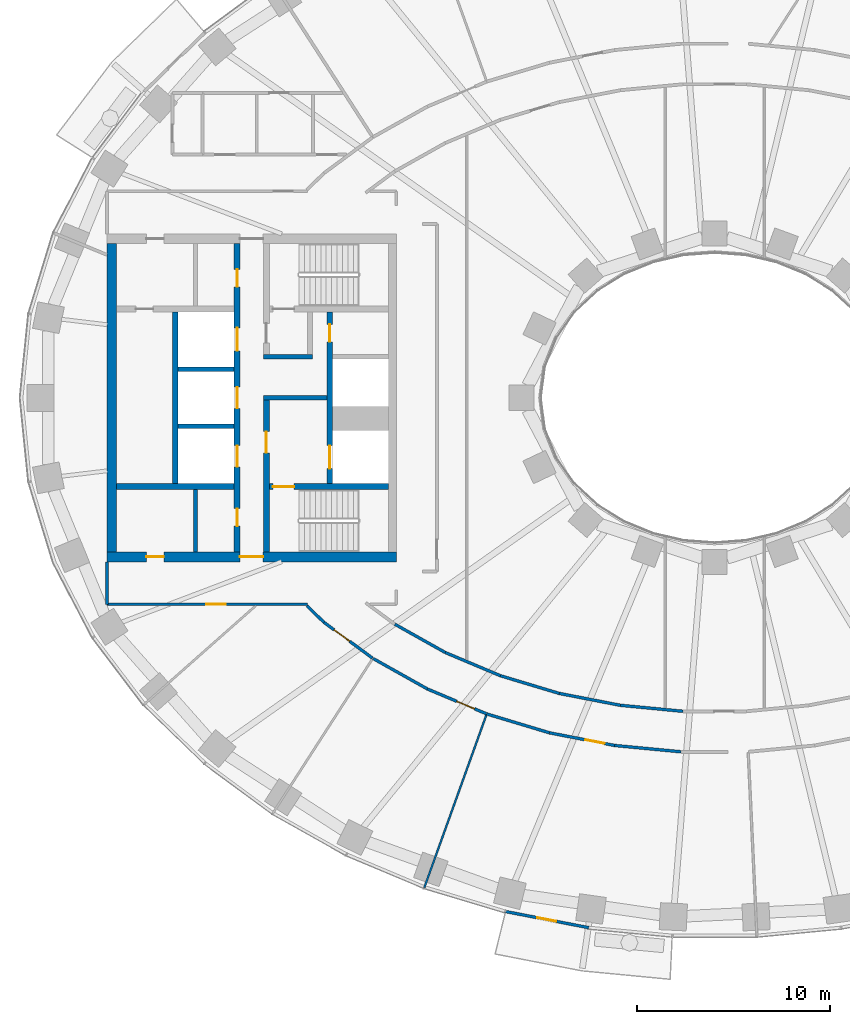
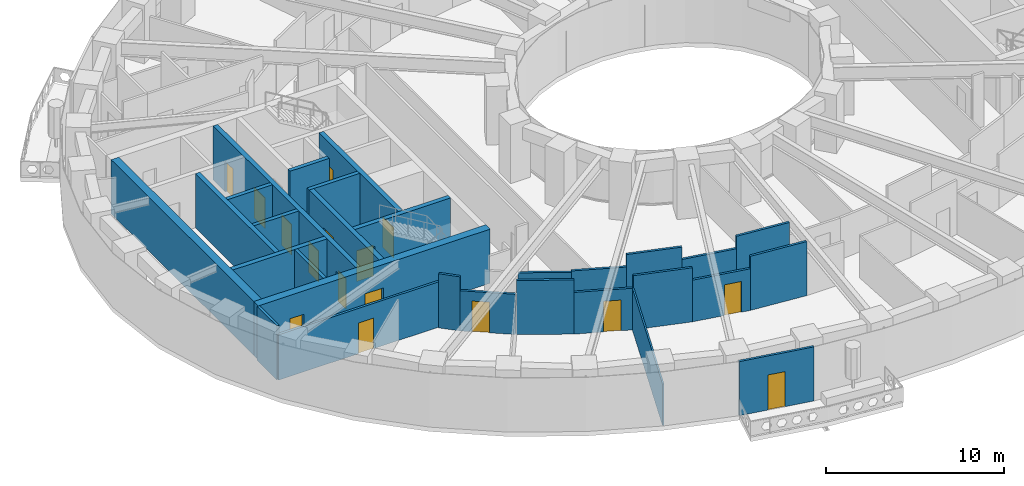
# One storey, part 3 of 16: 29 walls, 16 doors, 16 openings.
"""IFC4 building model written with IfcOpenShell, lengths in metres."""

from ifc_helpers import new_model, si_unit, direction, frame, frame_2d, origin, place, context, subcontext, project, spatial, rectangle, extrude, material, layer, layer_set, type_object, element, fill, save


model = new_model("IFC4")

# Units and contexts
model_context = context("Model", 3, precision=1e-05, world=origin(), true_north=direction((0.0, 1.0)))
body_context = subcontext(model_context, "Body", "Model", "MODEL_VIEW")
ifc_project = project(units=[si_unit("LENGTHUNIT", "METRE"), si_unit("AREAUNIT", "SQUARE_METRE"), si_unit("VOLUMEUNIT", "CUBIC_METRE"), si_unit("PLANEANGLEUNIT", "RADIAN"), si_unit("MASSUNIT", "GRAM", prefix="KILO")], contexts=[model_context])

# Site, building, storey
site_placement = place(None, origin())
site = spatial("IfcSite", under=ifc_project, at=site_placement, CompositionType="ELEMENT")
building_placement = place(site_placement, origin())
building = spatial("IfcBuilding", under=site, at=building_placement, Name="Noorbagh Ring Tower", CompositionType="ELEMENT")
storey_placement = place(building_placement, frame((0.0, 0.0, 70.5)))
storey = spatial("IfcBuildingStorey", under=building, at=storey_placement, Name="L15", CompositionType="ELEMENT", Elevation=70.5)

# Walls
ifc_material_1 = material(Name="Gypsum board on steel studs", Category="steel")
ifc_layer_1 = layer(ifc_material_1, 0.199951171875)
ifc_layer_set_1 = layer_set([ifc_layer_1], Name="Gypsum board on steel studs")
wall_type_1 = type_object("IfcWallType", Name="CORE-PARTITION-200", PredefinedType="PARTITIONING", material=ifc_layer_set_1)
wall_1_placement = place(storey_placement, frame((-26.89990234375, -8.0, 0.0), z_axis=(0.0, 0.0, 1.0), x_axis=(0.0, 1.0, 0.0)))
element("IfcWall", 1, at=wall_1_placement, inside=storey, type_object=wall_type_1, Name="Core partition W", PredefinedType="PARTITIONING", context=body_context, shape_type="SweptSolid", body=[
    extrude(rectangle(XDim=3.25, YDim=0.199951171875, at=frame_2d((1.625, 0.0))), origin(), (0.0, 0.0, 1.0), 3.699951171875),
])
ifc_material_2 = material(Name="Concrete C70/85", Category="concrete")
ifc_layer_2 = layer(ifc_material_2, 0.25)
ifc_layer_set_2 = layer_set([ifc_layer_2], Name="Concrete C70/85")
wall_type_2 = type_object("IfcWallType", Name="CORE-WALL-250-C70-85-EI120", PredefinedType="SHEAR", material=ifc_layer_set_2)
for number, where, z_axis, x_axis, name in (
    (2, (-24.89990234375, -1.47509765625, 0.0), (0.0, 0.0, 1.0), (-1.0, 0.0, 0.0), "Core wall W"),
    (3, (-24.89990234375, 1.47509765625, 0.0), (0.0, 0.0, 1.0), (-1.0, 0.0, 0.0), "Core wall W"),
):
    element("IfcWall", number, at=place(storey_placement, frame(where, z_axis=z_axis, x_axis=x_axis)), inside=storey, type_object=wall_type_2, Name=name, PredefinedType="SHEAR", context=body_context, shape_type="SweptSolid", body=[
        extrude(rectangle(XDim=2.900146484375, YDim=0.25, at=frame_2d((1.4501953125, 0.0))), origin(), (0.0, 0.0, 1.0), 3.699951171875),
    ])
ifc_material_3 = material(Name="Concrete C70/85", Category="concrete")
ifc_layer_3 = layer(ifc_material_3, 0.25)
ifc_layer_set_3 = layer_set([ifc_layer_3], Name="Concrete C70/85")
wall_type_3 = type_object("IfcWallType", Name="CORE-WALL-250-C70-85-EI240", PredefinedType="SHEAR", material=ifc_layer_set_3)
wall_2_placement = place(storey_placement, frame((-20.10009765625, 0.0, 0.0), z_axis=(0.0, 0.0, 1.0), x_axis=(-1.0, 0.0, 0.0)))
element("IfcWall", 4, at=wall_2_placement, inside=storey, type_object=wall_type_3, Name="Core wall W", PredefinedType="SHEAR", context=body_context, shape_type="SweptSolid", body=[
    extrude(rectangle(XDim=3.27978515625, YDim=0.25, at=frame_2d((1.639892578125, 0.0))), origin(), (0.0, 0.0, 1.0), 3.699951171875),
])
wall_3_placement = place(storey_placement, frame((-20.85009765625, 2.125, 0.0), z_axis=(0.0, 0.0, 1.0), x_axis=(-1.0, 0.0, 0.0)))
element("IfcWall", 5, at=wall_3_placement, inside=storey, type_object=wall_type_3, Name="Core wall W", PredefinedType="SHEAR", context=body_context, shape_type="SweptSolid", body=[
    extrude(rectangle(XDim=2.52978515625, YDim=0.25, at=frame_2d((1.264892578125, 0.0))), origin(), (0.0, 0.0, 1.0), 3.699951171875),
])
ifc_material_4 = material(Name="Concrete C70/85", Category="concrete")
ifc_layer_4 = layer(ifc_material_4, 0.300048828125)
ifc_layer_set_4 = layer_set([ifc_layer_4], Name="Concrete C70/85")
wall_type_4 = type_object("IfcWallType", Name="CORE-WALL-300-C70-85-EI120", PredefinedType="SHEAR", material=ifc_layer_set_4)
wall_4_placement = place(storey_placement, frame((-27.949951171875, -4.449951171875, 0.0), z_axis=(0.0, 0.0, 1.0), x_axis=(0.0, 1.0, 0.0)))
element("IfcWall", 6, at=wall_4_placement, inside=storey, type_object=wall_type_4, Name="Core wall W", PredefinedType="SHEAR", context=body_context, shape_type="SweptSolid", body=[
    extrude(rectangle(XDim=8.89990234375, YDim=0.300048828125, at=frame_2d((4.449951171875, 0.0))), origin(), (0.0, 0.0, 1.0), 3.699951171875),
])

# Wall, openings, doors
wall_5_placement = place(storey_placement, frame((-19.949951171875, -4.449951171875, 0.0), z_axis=(0.0, 0.0, 1.0), x_axis=(0.0, 1.0, 0.0)))
wall_5 = element("IfcWall", 7, at=wall_5_placement, inside=storey, type_object=wall_type_4, Name="Core wall W", PredefinedType="SHEAR", context=body_context, shape_type="SweptSolid", body=[
    extrude(rectangle(XDim=8.89990234375, YDim=0.300048828125, at=frame_2d((4.449951171875, 0.0))), origin(), (0.0, 0.0, 1.0), 3.699951171875),
])
opening_1_placement = place(wall_5_placement, frame((0.77490234375, 0.0, 0.0)))
opening_1 = element("IfcOpeningElement", 8, at=opening_1_placement, cuts=wall_5, Name="Opening L15-CW01", PredefinedType="OPENING", context=body_context, shape_type="SweptSolid", body=[
    extrude(rectangle(XDim=1.199951171875, YDim=2.10009765625, at=frame_2d((0.60009765625, 1.050048828125))), frame((0.0, 0.16015625, 0.0), z_axis=(0.0, -1.0, 0.0), x_axis=(1.0, 0.0, 0.0)), (0.0, 0.0, 1.0), 0.320068359375),
])
opening_2_placement = place(wall_5_placement, frame((7.35009765625, 0.0, 0.0)))
opening_2 = element("IfcOpeningElement", 9, at=opening_2_placement, cuts=wall_5, Name="Opening L15-CW11", PredefinedType="OPENING", context=body_context, shape_type="SweptSolid", body=[
    extrude(rectangle(XDim=0.89990234375, YDim=2.10009765625, at=frame_2d((0.449951171875, 1.050048828125))), frame((0.0, 0.16015625, 0.0), z_axis=(0.0, -1.0, 0.0), x_axis=(1.0, 0.0, 0.0)), (0.0, 0.0, 1.0), 0.320068359375),
])
ifc_material_5 = material(Name="Steel door leaf", Category="steel")
door_type_1 = type_object("IfcDoorType", Name="CORE-DOOR-DROOM", OperationType="SINGLE_SWING_LEFT", PredefinedType="DOOR", material=ifc_material_5)
door_1_placement = place(opening_2_placement, origin())
door_1 = element("IfcDoor", 10, at=door_1_placement, inside=storey, type_object=door_type_1, Name="Core room door L15-CW11", OperationType="SINGLE_SWING_LEFT", OverallHeight=2.10009765625, OverallWidth=0.89990234375, PredefinedType="DOOR", context=body_context, shape_type="SweptSolid", body=[
    extrude(rectangle(XDim=0.89990234375, YDim=2.10009765625, at=frame_2d((0.449951171875, 1.050048828125))), frame((0.0, 0.02490234375, 0.0), z_axis=(0.0, -1.0, 0.0), x_axis=(1.0, 0.0, 0.0)), (0.0, 0.0, 1.0), 0.050048828125),
])
fill(opening_2, door_1)
ifc_material_6 = material(Name="Steel door leaf", Category="steel")
door_type_2 = type_object("IfcDoorType", Name="CORE-DOOR-LDW", OperationType="DOUBLE_DOOR_SLIDING", PredefinedType="DOOR", material=ifc_material_6)
door_2_placement = place(opening_1_placement, origin())
door_2 = element("IfcDoor", 11, at=door_2_placement, inside=storey, type_object=door_type_2, Name="Landing door FF1 L15-CW01", OperationType="DOUBLE_DOOR_SLIDING", OverallHeight=2.10009765625, OverallWidth=1.199951171875, PredefinedType="DOOR", context=body_context, shape_type="SweptSolid", body=[
    extrude(rectangle(XDim=1.199951171875, YDim=2.10009765625, at=frame_2d((0.60009765625, 1.050048828125))), frame((0.0, 0.02490234375, 0.0), z_axis=(0.0, -1.0, 0.0), x_axis=(1.0, 0.0, 0.0)), (0.0, 0.0, 1.0), 0.050048828125),
])
fill(opening_1, door_2)

wall_6_placement = place(storey_placement, frame((-24.75, -8.0, 0.0), z_axis=(0.0, 0.0, 1.0), x_axis=(0.0, 1.0, 0.0)))
wall_6 = element("IfcWall", 12, at=wall_6_placement, inside=storey, type_object=wall_type_4, Name="Core wall W", PredefinedType="SHEAR", context=body_context, shape_type="SweptSolid", body=[
    extrude(rectangle(XDim=16.0, YDim=0.300048828125, at=frame_2d((8.0, 0.0))), origin(), (0.0, 0.0, 1.0), 3.699951171875),
])
opening_3_placement = place(wall_6_placement, frame((4.425048828125, 0.0, 0.0)))
opening_3 = element("IfcOpeningElement", 13, at=opening_3_placement, cuts=wall_6, Name="Opening L15-CW02", PredefinedType="OPENING", context=body_context, shape_type="SweptSolid", body=[
    extrude(rectangle(XDim=1.10009765625, YDim=2.10009765625, at=frame_2d((0.550048828125, 1.050048828125))), frame((0.0, 0.16015625, 0.0), z_axis=(0.0, -1.0, 0.0), x_axis=(1.0, 0.0, 0.0)), (0.0, 0.0, 1.0), 0.320068359375),
])
opening_4_placement = place(wall_6_placement, frame((7.449951171875, 0.0, 0.0)))
opening_4 = element("IfcOpeningElement", 14, at=opening_4_placement, cuts=wall_6, Name="Opening L15-CW03", PredefinedType="OPENING", context=body_context, shape_type="SweptSolid", body=[
    extrude(rectangle(XDim=1.10009765625, YDim=2.10009765625, at=frame_2d((0.550048828125, 1.050048828125))), frame((0.0, 0.16015625, 0.0), z_axis=(0.0, -1.0, 0.0), x_axis=(1.0, 0.0, 0.0)), (0.0, 0.0, 1.0), 0.320068359375),
])
opening_5_placement = place(wall_6_placement, frame((10.425048828125, 0.0, 0.0)))
opening_5 = element("IfcOpeningElement", 15, at=opening_5_placement, cuts=wall_6, Name="Opening L15-CW04", PredefinedType="OPENING", context=body_context, shape_type="SweptSolid", body=[
    extrude(rectangle(XDim=1.199951171875, YDim=2.10009765625, at=frame_2d((0.60009765625, 1.050048828125))), frame((0.0, 0.16015625, 0.0), z_axis=(0.0, -1.0, 0.0), x_axis=(1.0, 0.0, 0.0)), (0.0, 0.0, 1.0), 0.320068359375),
])
opening_6_placement = place(wall_6_placement, frame((13.75, 0.0, 0.0)))
opening_6 = element("IfcOpeningElement", 16, at=opening_6_placement, cuts=wall_6, Name="Opening L15-CW12", PredefinedType="OPENING", context=body_context, shape_type="SweptSolid", body=[
    extrude(rectangle(XDim=0.89990234375, YDim=2.10009765625, at=frame_2d((0.449951171875, 1.050048828125))), frame((0.0, 0.16015625, 0.0), z_axis=(0.0, -1.0, 0.0), x_axis=(1.0, 0.0, 0.0)), (0.0, 0.0, 1.0), 0.320068359375),
])
opening_7_placement = place(wall_6_placement, frame((1.35009765625, 0.0, 0.0)))
opening_7 = element("IfcOpeningElement", 17, at=opening_7_placement, cuts=wall_6, Name="Opening L15-CW14", PredefinedType="OPENING", context=body_context, shape_type="SweptSolid", body=[
    extrude(rectangle(XDim=0.89990234375, YDim=2.10009765625, at=frame_2d((0.449951171875, 1.050048828125))), frame((0.0, 0.16015625, 0.0), z_axis=(0.0, -1.0, 0.0), x_axis=(1.0, 0.0, 0.0)), (0.0, 0.0, 1.0), 0.320068359375),
])
door_3_placement = place(opening_6_placement, origin())
door_3 = element("IfcDoor", 18, at=door_3_placement, inside=storey, type_object=door_type_1, Name="Core room door L15-CW12", OperationType="SINGLE_SWING_RIGHT", OverallHeight=2.10009765625, OverallWidth=0.89990234375, PredefinedType="DOOR", context=body_context, shape_type="SweptSolid", body=[
    extrude(rectangle(XDim=0.89990234375, YDim=2.10009765625, at=frame_2d((0.449951171875, 1.050048828125))), frame((0.0, 0.02490234375, 0.0), z_axis=(0.0, -1.0, 0.0), x_axis=(1.0, 0.0, 0.0)), (0.0, 0.0, 1.0), 0.050048828125),
])
fill(opening_6, door_3)
door_4_placement = place(opening_7_placement, origin())
door_4 = element("IfcDoor", 19, at=door_4_placement, inside=storey, type_object=door_type_1, Name="Core room door L15-CW14", OperationType="SINGLE_SWING_LEFT", OverallHeight=2.10009765625, OverallWidth=0.89990234375, PredefinedType="DOOR", context=body_context, shape_type="SweptSolid", body=[
    extrude(rectangle(XDim=0.89990234375, YDim=2.10009765625, at=frame_2d((0.449951171875, 1.050048828125))), frame((0.0, 0.02490234375, 0.0), z_axis=(0.0, -1.0, 0.0), x_axis=(1.0, 0.0, 0.0)), (0.0, 0.0, 1.0), 0.050048828125),
])
fill(opening_7, door_4)
ifc_material_7 = material(Name="Steel door leaf", Category="steel")
door_type_3 = type_object("IfcDoorType", Name="CORE-DOOR-LD", OperationType="DOUBLE_DOOR_SLIDING", PredefinedType="DOOR", material=ifc_material_7)
door_5_placement = place(opening_3_placement, origin())
door_5 = element("IfcDoor", 20, at=door_5_placement, inside=storey, type_object=door_type_3, Name="Landing door LR1 L15-CW02", OperationType="DOUBLE_DOOR_SLIDING", OverallHeight=2.10009765625, OverallWidth=1.10009765625, PredefinedType="DOOR", context=body_context, shape_type="SweptSolid", body=[
    extrude(rectangle(XDim=1.10009765625, YDim=2.10009765625, at=frame_2d((0.550048828125, 1.050048828125))), frame((0.0, 0.02490234375, 0.0), z_axis=(0.0, -1.0, 0.0), x_axis=(1.0, 0.0, 0.0)), (0.0, 0.0, 1.0), 0.050048828125),
])
fill(opening_3, door_5)
door_6_placement = place(opening_4_placement, origin())
door_6 = element("IfcDoor", 21, at=door_6_placement, inside=storey, type_object=door_type_3, Name="Landing door LR2 L15-CW03", OperationType="DOUBLE_DOOR_SLIDING", OverallHeight=2.10009765625, OverallWidth=1.10009765625, PredefinedType="DOOR", context=body_context, shape_type="SweptSolid", body=[
    extrude(rectangle(XDim=1.10009765625, YDim=2.10009765625, at=frame_2d((0.550048828125, 1.050048828125))), frame((0.0, 0.02490234375, 0.0), z_axis=(0.0, -1.0, 0.0), x_axis=(1.0, 0.0, 0.0)), (0.0, 0.0, 1.0), 0.050048828125),
])
fill(opening_4, door_6)
door_7_placement = place(opening_5_placement, origin())
door_7 = element("IfcDoor", 22, at=door_7_placement, inside=storey, type_object=door_type_2, Name="Landing door SV1 L15-CW04", OperationType="DOUBLE_DOOR_SLIDING", OverallHeight=2.10009765625, OverallWidth=1.199951171875, PredefinedType="DOOR", context=body_context, shape_type="SweptSolid", body=[
    extrude(rectangle(XDim=1.199951171875, YDim=2.10009765625, at=frame_2d((0.60009765625, 1.050048828125))), frame((0.0, 0.02490234375, 0.0), z_axis=(0.0, -1.0, 0.0), x_axis=(1.0, 0.0, 0.0)), (0.0, 0.0, 1.0), 0.050048828125),
])
fill(opening_5, door_7)

# Wall
ifc_material_8 = material(Name="Concrete C70/85", Category="concrete")
ifc_layer_5 = layer(ifc_material_8, 0.300048828125)
ifc_layer_set_5 = layer_set([ifc_layer_5], Name="Concrete C70/85")
wall_type_5 = type_object("IfcWallType", Name="CORE-WALL-300-C70-85-EI240", PredefinedType="SHEAR", material=ifc_layer_set_5)
wall_7_placement = place(storey_placement, frame((-24.89990234375, -4.60009765625, 0.0), z_axis=(0.0, 0.0, 1.0), x_axis=(-1.0, 0.0, 0.0)))
element("IfcWall", 23, at=wall_7_placement, inside=storey, type_object=wall_type_5, Name="Core wall W", PredefinedType="SHEAR", context=body_context, shape_type="SweptSolid", body=[
    extrude(rectangle(XDim=6.10009765625, YDim=0.300048828125, at=frame_2d((3.050048828125, 0.0))), origin(), (0.0, 0.0, 1.0), 3.699951171875),
])

# Wall, opening, door
wall_8_placement = place(storey_placement, frame((-23.22998046875, -8.0, 0.0), z_axis=(0.0, 0.0, 1.0), x_axis=(0.0, 1.0, 0.0)))
wall_8 = element("IfcWall", 24, at=wall_8_placement, inside=storey, type_object=wall_type_5, Name="Core wall W", PredefinedType="SHEAR", context=body_context, shape_type="SweptSolid", body=[
    extrude(rectangle(XDim=7.875, YDim=0.300048828125, at=frame_2d((3.9375, 0.0))), origin(), (0.0, 0.0, 1.0), 3.699951171875),
])
opening_8_placement = place(wall_8_placement, frame((5.14990234375, 0.0, 0.0)))
opening_8 = element("IfcOpeningElement", 25, at=opening_8_placement, cuts=wall_8, Name="Opening L15-CW07", PredefinedType="OPENING", context=body_context, shape_type="SweptSolid", body=[
    extrude(rectangle(XDim=1.10009765625, YDim=2.10009765625, at=frame_2d((0.550048828125, 1.050048828125))), frame((0.0, 0.16015625, 0.0), z_axis=(0.0, -1.0, 0.0), x_axis=(1.0, 0.0, 0.0)), (0.0, 0.0, 1.0), 0.320068359375),
])
ifc_material_9 = material(Name="Steel door leaf", Category="steel")
door_type_4 = type_object("IfcDoorType", Name="CORE-DOOR-DFF", OperationType="SINGLE_SWING_LEFT", PredefinedType="DOOR", material=ifc_material_9)
door_8_placement = place(opening_8_placement, origin())
door_8 = element("IfcDoor", 26, at=door_8_placement, inside=storey, type_object=door_type_4, Name="Firefighting lobby door L15-CW07", OperationType="SINGLE_SWING_LEFT", OverallHeight=2.10009765625, OverallWidth=1.10009765625, PredefinedType="DOOR", context=body_context, shape_type="SweptSolid", body=[
    extrude(rectangle(XDim=1.10009765625, YDim=2.10009765625, at=frame_2d((0.550048828125, 1.050048828125))), frame((0.0, 0.02490234375, 0.0), z_axis=(0.0, -1.0, 0.0), x_axis=(1.0, 0.0, 0.0)), (0.0, 0.0, 1.0), 0.050048828125),
])
fill(opening_8, door_8)

wall_9_placement = place(storey_placement, frame((-16.89990234375, -4.60009765625, 0.0), z_axis=(0.0, 0.0, 1.0), x_axis=(-1.0, 0.0, 0.0)))
wall_9 = element("IfcWall", 27, at=wall_9_placement, inside=storey, type_object=wall_type_5, Name="Core wall W", PredefinedType="SHEAR", context=body_context, shape_type="SweptSolid", body=[
    extrude(rectangle(XDim=6.18017578125, YDim=0.300048828125, at=frame_2d((3.090087890625, 0.0))), origin(), (0.0, 0.0, 1.0), 3.699951171875),
])
opening_9_placement = place(wall_9_placement, frame((4.89990234375, 0.0, 0.0)))
opening_9 = element("IfcOpeningElement", 28, at=opening_9_placement, cuts=wall_9, Name="Opening L15-CW06", PredefinedType="OPENING", context=body_context, shape_type="SweptSolid", body=[
    extrude(rectangle(XDim=1.10009765625, YDim=2.10009765625, at=frame_2d((0.550048828125, 1.050048828125))), frame((0.0, 0.16015625, 0.0), z_axis=(0.0, -1.0, 0.0), x_axis=(1.0, 0.0, 0.0)), (0.0, 0.0, 1.0), 0.320068359375),
])
ifc_material_10 = material(Name="Steel door leaf", Category="steel")
door_type_5 = type_object("IfcDoorType", Name="CORE-DOOR-DSTAIR", OperationType="SINGLE_SWING_LEFT", PredefinedType="DOOR", material=ifc_material_10)
door_9_placement = place(opening_9_placement, origin())
door_9 = element("IfcDoor", 29, at=door_9_placement, inside=storey, type_object=door_type_5, Name="Stair door ST2 L15-CW06", OperationType="SINGLE_SWING_LEFT", OverallHeight=2.10009765625, OverallWidth=1.10009765625, PredefinedType="DOOR", context=body_context, shape_type="SweptSolid", body=[
    extrude(rectangle(XDim=1.10009765625, YDim=2.10009765625, at=frame_2d((0.550048828125, 1.050048828125))), frame((0.0, 0.02490234375, 0.0), z_axis=(0.0, -1.0, 0.0), x_axis=(1.0, 0.0, 0.0)), (0.0, 0.0, 1.0), 0.050048828125),
])
fill(opening_9, door_9)

# Wall, openings, doors
ifc_material_11 = material(Name="Concrete C70/85", Category="concrete")
ifc_layer_6 = layer(ifc_material_11, 0.5)
ifc_layer_set_6 = layer_set([ifc_layer_6], Name="Concrete C70/85")
wall_type_6 = type_object("IfcWallType", Name="CORE-WALL-500-C70-85-EI240", PredefinedType="SHEAR", material=ifc_layer_set_6)
wall_10_placement = place(storey_placement, frame((-16.5, -8.25, 0.0), z_axis=(0.0, 0.0, 1.0), x_axis=(-1.0, 0.0, 0.0)))
wall_10 = element("IfcWall", 30, at=wall_10_placement, inside=storey, type_object=wall_type_6, Name="Core wall W", PredefinedType="SHEAR", context=body_context, shape_type="SweptSolid", body=[
    extrude(rectangle(XDim=15.0, YDim=0.5, at=frame_2d((7.5, 0.0))), origin(), (0.0, 0.0, 1.0), 3.699951171875),
])
opening_10_placement = place(wall_10_placement, frame((6.89990234375, 0.0, 0.0)))
opening_10 = element("IfcOpeningElement", 31, at=opening_10_placement, cuts=wall_10, Name="Opening L15-CW10", PredefinedType="OPENING", context=body_context, shape_type="SweptSolid", body=[
    extrude(rectangle(XDim=1.199951171875, YDim=2.10009765625, at=frame_2d((0.60009765625, 1.050048828125))), frame((0.0, 0.260009765625, 0.0), z_axis=(0.0, -1.0, 0.0), x_axis=(1.0, 0.0, 0.0)), (0.0, 0.0, 1.0), 0.52001953125),
])
opening_11_placement = place(wall_10_placement, frame((12.050048828125, 0.0, 0.0)))
opening_11 = element("IfcOpeningElement", 32, at=opening_11_placement, cuts=wall_10, Name="Opening L15-CW15", PredefinedType="OPENING", context=body_context, shape_type="SweptSolid", body=[
    extrude(rectangle(XDim=0.89990234375, YDim=2.10009765625, at=frame_2d((0.449951171875, 1.050048828125))), frame((0.0, 0.260009765625, 0.0), z_axis=(0.0, -1.0, 0.0), x_axis=(1.0, 0.0, 0.0)), (0.0, 0.0, 1.0), 0.52001953125),
])
door_10_placement = place(opening_11_placement, origin())
door_10 = element("IfcDoor", 33, at=door_10_placement, inside=storey, type_object=door_type_1, Name="Core room door L15-CW15", OperationType="SINGLE_SWING_LEFT", OverallHeight=2.10009765625, OverallWidth=0.89990234375, PredefinedType="DOOR", context=body_context, shape_type="SweptSolid", body=[
    extrude(rectangle(XDim=0.89990234375, YDim=2.10009765625, at=frame_2d((0.449951171875, 1.050048828125))), frame((0.0, 0.02490234375, 0.0), z_axis=(0.0, -1.0, 0.0), x_axis=(1.0, 0.0, 0.0)), (0.0, 0.0, 1.0), 0.050048828125),
])
fill(opening_11, door_10)
ifc_material_12 = material(Name="Steel door leaf", Category="steel")
door_type_6 = type_object("IfcDoorType", Name="CORE-DOOR-PORT", OperationType="DOUBLE_DOOR_DOUBLE_SWING", PredefinedType="DOOR", material=ifc_material_12)
door_11_placement = place(opening_10_placement, origin())
door_11 = element("IfcDoor", 34, at=door_11_placement, inside=storey, type_object=door_type_6, Name="Core entrance door L15-CW10", OperationType="DOUBLE_DOOR_DOUBLE_SWING", OverallHeight=2.10009765625, OverallWidth=1.199951171875, PredefinedType="DOOR", context=body_context, shape_type="SweptSolid", body=[
    extrude(rectangle(XDim=1.199951171875, YDim=2.10009765625, at=frame_2d((0.60009765625, 1.050048828125))), frame((0.0, 0.02490234375, 0.0), z_axis=(0.0, -1.0, 0.0), x_axis=(1.0, 0.0, 0.0)), (0.0, 0.0, 1.0), 0.050048828125),
])
fill(opening_10, door_11)

# Walls
wall_11_placement = place(storey_placement, frame((-31.25, -8.0, 0.0), z_axis=(0.0, 0.0, 1.0), x_axis=(0.0, 1.0, 0.0)))
element("IfcWall", 35, at=wall_11_placement, inside=storey, type_object=wall_type_6, Name="Core wall W", PredefinedType="SHEAR", context=body_context, shape_type="SweptSolid", body=[
    extrude(rectangle(XDim=16.0, YDim=0.5, at=frame_2d((8.0, 0.0))), origin(), (0.0, 0.0, 1.0), 3.699951171875),
])
ifc_material_13 = material(Name="Gypsum board on steel studs", Category="steel")
ifc_layer_7 = layer(ifc_material_13, 0.14990234375)
ifc_layer_set_7 = layer_set([ifc_layer_7], Name="Gypsum board on steel studs")
wall_type_7 = type_object("IfcWallType", Name="CORRIDOR PARTITION 150 EI 30", PredefinedType="PARTITIONING", material=ifc_layer_set_7)
wall_12_placement = place(storey_placement, frame((-31.5, -10.699951171875, 0.0), z_axis=(0.0, 0.0, 1.0), x_axis=(0.0, 1.0, 0.0)))
element("IfcWall", 36, at=wall_12_placement, inside=storey, type_object=wall_type_7, Name="L15/wall/P02", PredefinedType="PARTITIONING", context=body_context, shape_type="SweptSolid", body=[
    extrude(rectangle(XDim=2.199951171875, YDim=0.14990234375, at=frame_2d((1.10009765625, 0.0))), origin(), (0.0, 0.0, 1.0), 3.699951171875),
])

# Wall, opening, door
wall_13_placement = place(storey_placement, frame((-31.5, -10.699951171875, 0.0), z_axis=(0.0, 0.0, 1.0), x_axis=(1.0, 0.0, 0.0)))
wall_13 = element("IfcWall", 37, at=wall_13_placement, inside=storey, type_object=wall_type_7, Name="L15/wall/P03", PredefinedType="PARTITIONING", context=body_context, shape_type="SweptSolid", body=[
    extrude(rectangle(XDim=10.39599609375, YDim=0.14990234375, at=frame_2d((5.197998046875, 0.0))), origin(), (0.0, 0.0, 1.0), 3.10009765625),
])
opening_12_placement = place(wall_13_placement, frame((5.14990234375, 0.0, 0.0)))
opening_12 = element("IfcOpeningElement", 38, at=opening_12_placement, cuts=wall_13, Name="Opening D1", PredefinedType="OPENING", context=body_context, shape_type="SweptSolid", body=[
    extrude(rectangle(XDim=1.0, YDim=2.10009765625, at=frame_2d((0.5, 1.050048828125))), frame((0.0, 0.0849609375, 0.0), z_axis=(0.0, -1.0, 0.0), x_axis=(1.0, 0.0, 0.0)), (0.0, 0.0, 1.0), 0.169921875),
])
ifc_material_14 = material(Name="Timber, painted", Category="wood")
door_type_7 = type_object("IfcDoorType", Name="DOOR 1000 X 2100 FD30", OperationType="SINGLE_SWING_LEFT", PredefinedType="DOOR", material=ifc_material_14)
door_12_placement = place(opening_12_placement, origin())
door_12 = element("IfcDoor", 39, at=door_12_placement, inside=storey, type_object=door_type_7, Name="L15-D06", OperationType="SINGLE_SWING_RIGHT", OverallHeight=2.10009765625, OverallWidth=1.0, PredefinedType="DOOR", context=body_context, shape_type="SweptSolid", body=[
    extrude(rectangle(XDim=1.0, YDim=2.10009765625, at=frame_2d((0.5, 1.050048828125))), frame((0.0, 0.02490234375, 0.0), z_axis=(0.0, -1.0, 0.0), x_axis=(1.0, 0.0, 0.0)), (0.0, 0.0, 1.0), 0.050048828125),
])
fill(opening_12, door_12)

# Wall
wall_14_placement = place(storey_placement, frame((-21.135009765625, -10.77490234375, 0.0), z_axis=(0.0, 0.0, 1.0), x_axis=(0.717043956417, -0.697027951065, 0.0)))
element("IfcWall", 40, at=wall_14_placement, inside=storey, type_object=wall_type_7, Name="L15/wall/P16", PredefinedType="PARTITIONING", context=body_context, shape_type="SweptSolid", body=[
    extrude(rectangle(XDim=1.244140625, YDim=0.14990234375, at=frame_2d((0.6220703125, 0.0))), origin(), (0.0, 0.0, 1.0), 3.699951171875),
])

# Wall, opening, door
wall_15_placement = place(storey_placement, frame((-20.242919921875, -11.64208984375, 0.0), z_axis=(0.0, 0.0, 1.0), x_axis=(0.805148342369, -0.593073475027, 0.0)))
wall_15 = element("IfcWall", 41, at=wall_15_placement, inside=storey, type_object=wall_type_7, Name="L15/wall/P19", PredefinedType="PARTITIONING", context=body_context, shape_type="SweptSolid", body=[
    extrude(rectangle(XDim=3.117431640625, YDim=0.14990234375, at=frame_2d((1.55859375, 0.0))), origin(), (0.0, 0.0, 1.0), 2.75),
])
opening_13_placement = place(wall_15_placement, frame((0.64990234375, 0.0, 0.0)))
opening_13 = element("IfcOpeningElement", 42, at=opening_13_placement, cuts=wall_15, Name="Opening D1", PredefinedType="OPENING", context=body_context, shape_type="SweptSolid", body=[
    extrude(rectangle(XDim=1.0, YDim=2.10009765625, at=frame_2d((0.5, 1.050048828125))), frame((0.0, 0.0849609375, 0.0), z_axis=(0.0, -1.0, 0.0), x_axis=(1.0, 0.0, 0.0)), (0.0, 0.0, 1.0), 0.169921875),
])
door_13_placement = place(opening_13_placement, origin())
door_13 = element("IfcDoor", 43, at=door_13_placement, inside=storey, type_object=door_type_7, Name="L15-D07", OperationType="SINGLE_SWING_LEFT", OverallHeight=2.10009765625, OverallWidth=1.0, PredefinedType="DOOR", context=body_context, shape_type="SweptSolid", body=[
    extrude(rectangle(XDim=1.0, YDim=2.10009765625, at=frame_2d((0.5, 1.050048828125))), frame((0.0, 0.02490234375, 0.0), z_axis=(0.0, -1.0, 0.0), x_axis=(1.0, 0.0, 0.0)), (0.0, 0.0, 1.0), 0.050048828125),
])
fill(opening_13, door_13)

# Walls
wall_16_placement = place(storey_placement, frame((-17.698974609375, -13.512939453125, 0.0), z_axis=(0.0, 0.0, 1.0), x_axis=(0.872072163686, -0.489377299559, 0.0)))
element("IfcWall", 44, at=wall_16_placement, inside=storey, type_object=wall_type_7, Name="L15/wall/P25", PredefinedType="PARTITIONING", context=body_context, shape_type="SweptSolid", body=[
    extrude(rectangle(XDim=3.226806640625, YDim=0.14990234375, at=frame_2d((1.61328125, 0.0))), origin(), (0.0, 0.0, 1.0), 3.699951171875),
])
wall_17_placement = place(storey_placement, frame((-16.575927734375, -11.735107421875, 0.0), z_axis=(0.0, 0.0, 1.0), x_axis=(0.872164226045, -0.489213207924, 0.0)))
element("IfcWall", 45, at=wall_17_placement, inside=storey, type_object=wall_type_7, Name="L15/wall/P27", PredefinedType="PARTITIONING", context=body_context, shape_type="SweptSolid", body=[
    extrude(rectangle(XDim=2.998291015625, YDim=0.14990234375, at=frame_2d((1.4990234375, 0.0))), origin(), (0.0, 0.0, 1.0), 2.75),
])

# Wall, opening, door
wall_18_placement = place(storey_placement, frame((-14.885009765625, -15.092041015625, 0.0), z_axis=(0.0, 0.0, 1.0), x_axis=(0.921844706698, -0.387559462189, 0.0)))
wall_18 = element("IfcWall", 46, at=wall_18_placement, inside=storey, type_object=wall_type_7, Name="L15/wall/P35", PredefinedType="PARTITIONING", context=body_context, shape_type="SweptSolid", body=[
    extrude(rectangle(XDim=3.31298828125, YDim=0.14990234375, at=frame_2d((1.656494140625, 0.0))), origin(), (0.0, 0.0, 1.0), 2.85009765625),
])
opening_14_placement = place(wall_18_placement, frame((1.64990234375, 0.0, 0.0)))
opening_14 = element("IfcOpeningElement", 47, at=opening_14_placement, cuts=wall_18, Name="Opening D1", PredefinedType="OPENING", context=body_context, shape_type="SweptSolid", body=[
    extrude(rectangle(XDim=1.0, YDim=2.10009765625, at=frame_2d((0.5, 1.050048828125))), frame((0.0, 0.0849609375, 0.0), z_axis=(0.0, -1.0, 0.0), x_axis=(1.0, 0.0, 0.0)), (0.0, 0.0, 1.0), 0.169921875),
])
door_14_placement = place(opening_14_placement, origin())
door_14 = element("IfcDoor", 48, at=door_14_placement, inside=storey, type_object=door_type_7, Name="L15-D08", OperationType="SINGLE_SWING_RIGHT", OverallHeight=2.10009765625, OverallWidth=1.0, PredefinedType="DOOR", context=body_context, shape_type="SweptSolid", body=[
    extrude(rectangle(XDim=1.0, YDim=2.10009765625, at=frame_2d((0.5, 1.050048828125))), frame((0.0, 0.02490234375, 0.0), z_axis=(0.0, -1.0, 0.0), x_axis=(1.0, 0.0, 0.0)), (0.0, 0.0, 1.0), 0.050048828125),
])
fill(opening_14, door_14)

# Walls
wall_19_placement = place(storey_placement, frame((-13.9609375, -13.201904296875, 0.0), z_axis=(0.0, 0.0, 1.0), x_axis=(0.921753827375, -0.387775555857, 0.0)))
element("IfcWall", 49, at=wall_19_placement, inside=storey, type_object=wall_type_7, Name="L15/wall/P38", PredefinedType="PARTITIONING", context=body_context, shape_type="SweptSolid", body=[
    extrude(rectangle(XDim=3.1025390625, YDim=0.14990234375, at=frame_2d((1.55126953125, 0.0))), origin(), (0.0, 0.0, 1.0), 2.85009765625),
])
wall_20_placement = place(storey_placement, frame((-11.81201171875, -16.384033203125, 0.0), z_axis=(0.0, 0.0, 1.0), x_axis=(0.95754884035, -0.28827108482, 0.0)))
element("IfcWall", 50, at=wall_20_placement, inside=storey, type_object=wall_type_7, Name="L15/wall/P41", PredefinedType="PARTITIONING", context=body_context, shape_type="SweptSolid", body=[
    extrude(rectangle(XDim=3.396240234375, YDim=0.14990234375, at=frame_2d((1.6982421875, 0.0))), origin(), (0.0, 0.0, 1.0), 3.699951171875),
])
wall_21_placement = place(storey_placement, frame((-11.10107421875, -14.405029296875, 0.0), z_axis=(0.0, 0.0, 1.0), x_axis=(0.957612601062, -0.28805920622, 0.0)))
element("IfcWall", 51, at=wall_21_placement, inside=storey, type_object=wall_type_7, Name="L15/wall/P43", PredefinedType="PARTITIONING", context=body_context, shape_type="SweptSolid", body=[
    extrude(rectangle(XDim=3.179931640625, YDim=0.14990234375, at=frame_2d((1.58984375, 0.0))), origin(), (0.0, 0.0, 1.0), 3.699951171875),
])

# Wall, opening, door
wall_22_placement = place(storey_placement, frame((-8.56005859375, -17.363037109375, 0.0), z_axis=(0.0, 0.0, 1.0), x_axis=(0.981639027618, -0.1907480523, 0.0)))
wall_22 = element("IfcWall", 52, at=wall_22_placement, inside=storey, type_object=wall_type_7, Name="L15/wall/P45", PredefinedType="PARTITIONING", context=body_context, shape_type="SweptSolid", body=[
    extrude(rectangle(XDim=3.439208984375, YDim=0.14990234375, at=frame_2d((1.7197265625, 0.0))), origin(), (0.0, 0.0, 1.0), 2.85009765625),
])
opening_15_placement = place(wall_22_placement, frame((1.89990234375, 0.0, 0.0)))
opening_15 = element("IfcOpeningElement", 53, at=opening_15_placement, cuts=wall_22, Name="Opening D1", PredefinedType="OPENING", context=body_context, shape_type="SweptSolid", body=[
    extrude(rectangle(XDim=1.0, YDim=2.10009765625, at=frame_2d((0.5, 1.050048828125))), frame((0.0, 0.0849609375, 0.0), z_axis=(0.0, -1.0, 0.0), x_axis=(1.0, 0.0, 0.0)), (0.0, 0.0, 1.0), 0.169921875),
])
door_15_placement = place(opening_15_placement, origin())
door_15 = element("IfcDoor", 54, at=door_15_placement, inside=storey, type_object=door_type_7, Name="L15-D10", OperationType="SINGLE_SWING_RIGHT", OverallHeight=2.10009765625, OverallWidth=1.0, PredefinedType="DOOR", context=body_context, shape_type="SweptSolid", body=[
    extrude(rectangle(XDim=1.0, YDim=2.10009765625, at=frame_2d((0.5, 1.050048828125))), frame((0.0, 0.02490234375, 0.0), z_axis=(0.0, -1.0, 0.0), x_axis=(1.0, 0.0, 0.0)), (0.0, 0.0, 1.0), 0.050048828125),
])
fill(opening_15, door_15)

# Walls
wall_23_placement = place(storey_placement, frame((-8.055908203125, -15.321044921875, 0.0), z_axis=(0.0, 0.0, 1.0), x_axis=(0.981604377859, -0.190926282547, 0.0)))
element("IfcWall", 55, at=wall_23_placement, inside=storey, type_object=wall_type_7, Name="L15/wall/P47", PredefinedType="PARTITIONING", context=body_context, shape_type="SweptSolid", body=[
    extrude(rectangle(XDim=3.231201171875, YDim=0.14990234375, at=frame_2d((1.61572265625, 0.0))), origin(), (0.0, 0.0, 1.0), 2.85009765625),
])
wall_24_placement = place(storey_placement, frame((-5.18408203125, -18.01904296875, 0.0), z_axis=(0.0, 0.0, 1.0), x_axis=(0.995482474707, -0.09494547146, 0.0)))
element("IfcWall", 56, at=wall_24_placement, inside=storey, type_object=wall_type_7, Name="L15/wall/P49", PredefinedType="PARTITIONING", context=body_context, shape_type="SweptSolid", body=[
    extrude(rectangle(XDim=3.463623046875, YDim=0.14990234375, at=frame_2d((1.73193359375, 0.0))), origin(), (0.0, 0.0, 1.0), 3.699951171875),
])
wall_25_placement = place(storey_placement, frame((-4.884033203125, -15.93798828125, 0.0), z_axis=(0.0, 0.0, 1.0), x_axis=(0.99547459835, -0.095028017131, 0.0)))
element("IfcWall", 57, at=wall_25_placement, inside=storey, type_object=wall_type_7, Name="L15/wall/P51", PredefinedType="PARTITIONING", context=body_context, shape_type="SweptSolid", body=[
    extrude(rectangle(XDim=3.2626953125, YDim=0.14990234375, at=frame_2d((1.63134765625, 0.0))), origin(), (0.0, 0.0, 1.0), 3.699951171875),
])

# Wall, opening, door
ifc_material_15 = material(Name="Insulated aluminium clad panel", Category="aluminium")
ifc_layer_8 = layer(ifc_material_15, 0.14990234375)
ifc_layer_set_8 = layer_set([ifc_layer_8], Name="Insulated aluminium clad panel")
wall_type_8 = type_object("IfcWallType", Name="ENV-WALL-DOOR", PredefinedType="STANDARD", material=ifc_layer_set_8)
wall_26_placement = place(storey_placement, frame((-10.87060546875, -26.616943359375, 0.0), z_axis=(0.0, 0.0, 1.0), x_axis=(0.981631174778, -0.190788460615, 0.0)))
wall_26 = element("IfcWall", 58, at=wall_26_placement, inside=storey, type_object=wall_type_8, Name="Balcony door wall chord 33", PredefinedType="STANDARD", context=body_context, shape_type="SweptSolid", body=[
    extrude(rectangle(XDim=4.42626953125, YDim=0.14990234375, at=frame_2d((2.213134765625, 0.0))), origin(), (0.0, 0.0, 1.0), 3.699951171875),
])
opening_16_placement = place(wall_26_placement, frame((1.713134765625, 0.0, 0.0)))
opening_16 = element("IfcOpeningElement", 59, at=opening_16_placement, cuts=wall_26, Name="Opening D-BL", PredefinedType="OPENING", context=body_context, shape_type="SweptSolid", body=[
    extrude(rectangle(XDim=1.0, YDim=2.39990234375, at=frame_2d((0.5, 1.199951171875))), frame((0.0, 0.0849609375, 0.0), z_axis=(0.0, -1.0, 0.0), x_axis=(1.0, 0.0, 0.0)), (0.0, 0.0, 1.0), 0.169921875),
])
ifc_material_16 = material(Name="Aluminium and glass", Category="aluminium")
door_type_8 = type_object("IfcDoorType", Name="ENV-DOOR-BALCONY", OperationType="SINGLE_SWING_LEFT", PredefinedType="DOOR", material=ifc_material_16)
door_16_placement = place(opening_16_placement, origin())
door_16 = element("IfcDoor", 60, at=door_16_placement, inside=storey, type_object=door_type_8, Name="Balcony door chord 33", OperationType="SINGLE_SWING_RIGHT", OverallHeight=2.39990234375, OverallWidth=1.0, PredefinedType="DOOR", context=body_context, shape_type="SweptSolid", body=[
    extrude(rectangle(XDim=1.0, YDim=2.39990234375, at=frame_2d((0.5, 1.199951171875))), frame((0.0, 0.02490234375, 0.0), z_axis=(0.0, -1.0, 0.0), x_axis=(1.0, 0.0, 0.0)), (0.0, 0.0, 1.0), 0.050048828125),
])
fill(opening_16, door_16)

# Wall
ifc_material_17 = material(Name="Gypsum board on steel studs", Category="steel")
ifc_layer_9 = layer(ifc_material_17, 0.10009765625)
ifc_layer_set_9 = layer_set([ifc_layer_9], Name="Gypsum board on steel studs")
wall_type_9 = type_object("IfcWallType", Name="PARTITION 100 GYPSUM", PredefinedType="PARTITIONING", material=ifc_layer_set_9)
wall_27_placement = place(storey_placement, frame((-15.048095703125, -25.383056640625, 0.0), z_axis=(0.0, 0.0, 1.0), x_axis=(0.338338680362, 0.941024408488, 0.0)))
element("IfcWall", 61, at=wall_27_placement, inside=storey, type_object=wall_type_9, Name="L15/wall/P33", PredefinedType="PARTITIONING", context=body_context, shape_type="SweptSolid", body=[
    extrude(rectangle(XDim=9.558837890625, YDim=0.10009765625, at=frame_2d((4.779296875, 0.0))), origin(), (0.0, 0.0, 1.0), 2.85009765625),
])

save(model, "model.ifc")
